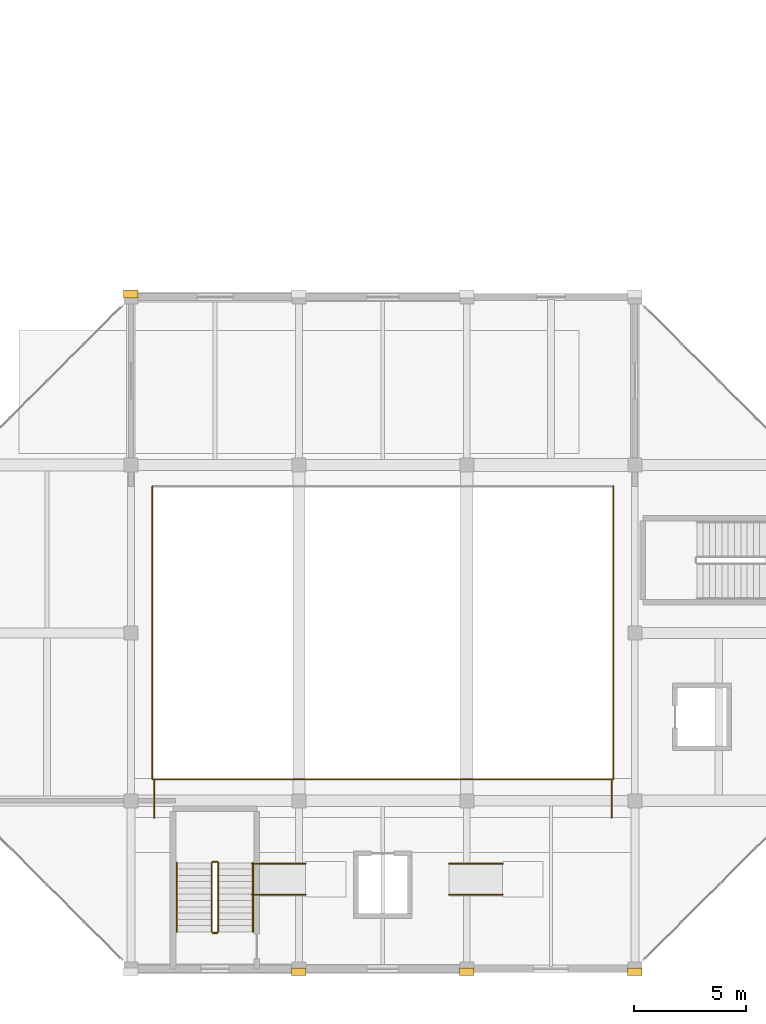
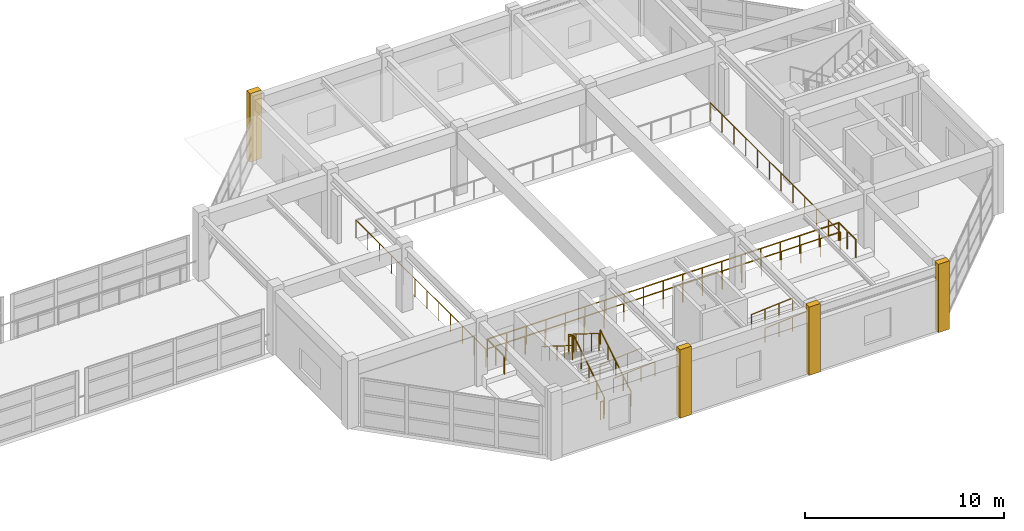
# One storey, part 128 of 132: 16 railings, 4 coverings.
"""IFC4 building model written with IfcOpenShell, lengths in metres."""

from ifc_helpers import new_model, si_unit, direction, frame, origin, origin_2d, place, context, subcontext, project, spatial, rectangle, circle, extrude, material, layer, layer_set, type_object, element, save


model = new_model("IFC4")

# Units and contexts
model_context = context("Model", 3, precision=1e-05, world=origin(), true_north=direction((0.0, 1.0)))
body_context = subcontext(model_context, "Body", "Model", "MODEL_VIEW")
ifc_project = project(units=[si_unit("LENGTHUNIT", "METRE"), si_unit("AREAUNIT", "SQUARE_METRE"), si_unit("VOLUMEUNIT", "CUBIC_METRE"), si_unit("PLANEANGLEUNIT", "RADIAN"), si_unit("MASSUNIT", "GRAM", prefix="KILO")], contexts=[model_context])

# Site, building, storey
site_placement = place(None, origin())
site = spatial("IfcSite", under=ifc_project, at=site_placement, CompositionType="ELEMENT")
building_placement = place(site_placement, origin())
building = spatial("IfcBuilding", under=site, at=building_placement, Name="Qasida Concert Hall", CompositionType="ELEMENT")
storey_placement = place(building_placement, frame((0.0, 0.0, 4.800048828125)))
storey = spatial("IfcBuildingStorey", under=building, at=storey_placement, Name="L01", CompositionType="ELEMENT", Elevation=4.800048828125)

# Coverings
ifc_material_1 = material(Name="Projecting fluted Lebanese limestone Art Deco pilaster", Category="masonry")
ifc_layer_1 = layer(ifc_material_1, 0.35009765625, Name="Projecting fluted Lebanese limestone Art Deco pilaster")
ifc_layer_set_1 = layer_set([ifc_layer_1], Name="Projecting fluted Lebanese limestone Art Deco pilaster")
covering_type = type_object("IfcCoveringType", Name="CV-PIL-650", PredefinedType="CLADDING", material=ifc_layer_set_1)
for number, where, z_axis, x_axis, name in (
    (1, (135.0, 30.135009765625, 0.0), (0.0, 0.0, 1.0), (1.0, 0.0, 0.0), "L01 fluted limestone pilaster 0196"),
    (2, (142.5, -0.135009765625, 0.0), (0.0, 0.0, 1.0), (1.0, 0.0, 0.0), "L01 fluted limestone pilaster 0200"),
    (3, (150.0, -0.135009765625, 0.0), (0.0, 0.0, 1.0), (1.0, 0.0, 0.0), "L01 fluted limestone pilaster 0208"),
    (4, (157.5, -0.135009765625, 0.0), (0.0, 0.0, 1.0), (1.0, 0.0, 0.0), "L01 fluted limestone pilaster 0216"),
):
    element("IfcCovering", number, at=place(storey_placement, frame(where, z_axis=z_axis, x_axis=x_axis)), inside=storey, type_object=covering_type, Name=name, PredefinedType="CLADDING", context=body_context, shape_type="SweptSolid", body=[
        extrude(rectangle(XDim=0.64990234375, YDim=0.35009765625, at=origin_2d()), origin(), (0.0, 0.0, 1.0), 4.199951171875),
    ])

# Railings
ifc_material_2 = material(Name="Carved Lebanese limestone and bronze top rail", Category="masonry")
ifc_layer_2 = layer(ifc_material_2, 0.10009765625, Name="Carved Lebanese limestone and bronze top rail")
ifc_layer_set_2 = layer_set([ifc_layer_2], Name="Carved Lebanese limestone and bronze top rail")
railing_type_1 = type_object("IfcRailingType", Name="RL-BAL-1100", PredefinedType="BALUSTRADE", material=ifc_layer_set_2)
railing_1_placement = place(storey_placement, frame((135.9599609375, 8.4599609375, 0.0)))
element("IfcRailing", 5, at=railing_1_placement, inside=storey, type_object=railing_type_1, Name="L01 Chamber balcony balustrade 0042", PredefinedType="BALUSTRADE", context=body_context, shape_type="SweptSolid", body=[
    extrude(circle(Radius=0.02392578125, at=origin_2d()), frame((0.0, 0.0, 1.09619140625), z_axis=(1.0, 0.0, 0.0), x_axis=(0.0, 1.0, 0.0)), (0.0, 0.0, 1.0), 20.580078125),
    extrude(circle(Radius=0.02099609375, at=origin_2d()), origin(), (0.0, 0.0, 1.0), 1.072021484375),
    extrude(circle(Radius=0.02099609375, at=origin_2d()), frame((1.143310546875, 0.0, 0.0)), (0.0, 0.0, 1.0), 1.072021484375),
    extrude(circle(Radius=0.02099609375, at=origin_2d()), frame((2.28662109375, 0.0, 0.0)), (0.0, 0.0, 1.0), 1.072021484375),
    extrude(circle(Radius=0.02099609375, at=origin_2d()), frame((3.429931640625, 0.0, 0.0)), (0.0, 0.0, 1.0), 1.072021484375),
    extrude(circle(Radius=0.02099609375, at=origin_2d()), frame((4.5732421875, 0.0, 0.0)), (0.0, 0.0, 1.0), 1.072021484375),
    extrude(circle(Radius=0.02099609375, at=origin_2d()), frame((5.716796875, 0.0, 0.0)), (0.0, 0.0, 1.0), 1.072021484375),
    extrude(circle(Radius=0.02099609375, at=origin_2d()), frame((6.860107421875, 0.0, 0.0)), (0.0, 0.0, 1.0), 1.072021484375),
    extrude(circle(Radius=0.02099609375, at=origin_2d()), frame((8.00341796875, 0.0, 0.0)), (0.0, 0.0, 1.0), 1.072021484375),
    extrude(circle(Radius=0.02099609375, at=origin_2d()), frame((9.146728515625, 0.0, 0.0)), (0.0, 0.0, 1.0), 1.072021484375),
    extrude(circle(Radius=0.02099609375, at=origin_2d()), frame((10.2900390625, 0.0, 0.0)), (0.0, 0.0, 1.0), 1.072021484375),
    extrude(circle(Radius=0.02099609375, at=origin_2d()), frame((11.433349609375, 0.0, 0.0)), (0.0, 0.0, 1.0), 1.072021484375),
    extrude(circle(Radius=0.02099609375, at=origin_2d()), frame((12.57666015625, 0.0, 0.0)), (0.0, 0.0, 1.0), 1.072021484375),
    extrude(circle(Radius=0.02099609375, at=origin_2d()), frame((13.719970703125, 0.0, 0.0)), (0.0, 0.0, 1.0), 1.072021484375),
    extrude(circle(Radius=0.02099609375, at=origin_2d()), frame((14.86328125, 0.0, 0.0)), (0.0, 0.0, 1.0), 1.072021484375),
    extrude(circle(Radius=0.02099609375, at=origin_2d()), frame((16.0068359375, 0.0, 0.0)), (0.0, 0.0, 1.0), 1.072021484375),
    extrude(circle(Radius=0.02099609375, at=origin_2d()), frame((17.150146484375, 0.0, 0.0)), (0.0, 0.0, 1.0), 1.072021484375),
    extrude(circle(Radius=0.02099609375, at=origin_2d()), frame((18.29345703125, 0.0, 0.0)), (0.0, 0.0, 1.0), 1.072021484375),
    extrude(circle(Radius=0.02099609375, at=origin_2d()), frame((19.436767578125, 0.0, 0.0)), (0.0, 0.0, 1.0), 1.072021484375),
    extrude(circle(Radius=0.02099609375, at=origin_2d()), frame((20.580078125, 0.0, 0.0)), (0.0, 0.0, 1.0), 1.072021484375),
])
railing_2_placement = place(storey_placement, frame((156.5400390625, 8.4599609375, 0.0)))
element("IfcRailing", 6, at=railing_2_placement, inside=storey, type_object=railing_type_1, Name="L01 Chamber balcony balustrade 0043", PredefinedType="BALUSTRADE", context=body_context, shape_type="SweptSolid", body=[
    extrude(circle(Radius=0.02392578125, at=origin_2d()), frame((0.0, 0.0, 1.09619140625), z_axis=(0.0, 1.0, 0.0), x_axis=(-1.0, 0.0, 0.0)), (0.0, 0.0, 1.0), 13.080078125),
    extrude(circle(Radius=0.02099609375, at=origin_2d()), origin(), (0.0, 0.0, 1.0), 1.072021484375),
    extrude(circle(Radius=0.02099609375, at=origin_2d()), frame((0.0, 1.189208984375, 0.0)), (0.0, 0.0, 1.0), 1.072021484375),
    extrude(circle(Radius=0.02099609375, at=origin_2d()), frame((0.0, 2.378173828125, 0.0)), (0.0, 0.0, 1.0), 1.072021484375),
    extrude(circle(Radius=0.02099609375, at=origin_2d()), frame((0.0, 3.5673828125, 0.0)), (0.0, 0.0, 1.0), 1.072021484375),
    extrude(circle(Radius=0.02099609375, at=origin_2d()), frame((0.0, 4.75634765625, 0.0)), (0.0, 0.0, 1.0), 1.072021484375),
    extrude(circle(Radius=0.02099609375, at=origin_2d()), frame((0.0, 5.945556640625, 0.0)), (0.0, 0.0, 1.0), 1.072021484375),
    extrude(circle(Radius=0.02099609375, at=origin_2d()), frame((0.0, 7.134521484375, 0.0)), (0.0, 0.0, 1.0), 1.072021484375),
    extrude(circle(Radius=0.02099609375, at=origin_2d()), frame((0.0, 8.32373046875, 0.0)), (0.0, 0.0, 1.0), 1.072021484375),
    extrude(circle(Radius=0.02099609375, at=origin_2d()), frame((0.0, 9.5126953125, 0.0)), (0.0, 0.0, 1.0), 1.072021484375),
    extrude(circle(Radius=0.02099609375, at=origin_2d()), frame((0.0, 10.701904296875, 0.0)), (0.0, 0.0, 1.0), 1.072021484375),
    extrude(circle(Radius=0.02099609375, at=origin_2d()), frame((0.0, 11.890869140625, 0.0)), (0.0, 0.0, 1.0), 1.072021484375),
    extrude(circle(Radius=0.02099609375, at=origin_2d()), frame((0.0, 13.080078125, 0.0)), (0.0, 0.0, 1.0), 1.072021484375),
])
railing_3_placement = place(storey_placement, frame((135.9599609375, 21.5400390625, 0.0)))
element("IfcRailing", 7, at=railing_3_placement, inside=storey, type_object=railing_type_1, Name="L01 Chamber balcony balustrade 0045", PredefinedType="BALUSTRADE", context=body_context, shape_type="SweptSolid", body=[
    extrude(circle(Radius=0.02392578125, at=origin_2d()), frame((0.0, 0.0, 1.09619140625), z_axis=(0.0, -1.0, 0.0), x_axis=(1.0, 0.0, 0.0)), (0.0, 0.0, 1.0), 13.080078125),
    extrude(circle(Radius=0.02099609375, at=origin_2d()), origin(), (0.0, 0.0, 1.0), 1.072021484375),
    extrude(circle(Radius=0.02099609375, at=origin_2d()), frame((0.0, -1.189208984375, 0.0)), (0.0, 0.0, 1.0), 1.072021484375),
    extrude(circle(Radius=0.02099609375, at=origin_2d()), frame((0.0, -2.378173828125, 0.0)), (0.0, 0.0, 1.0), 1.072021484375),
    extrude(circle(Radius=0.02099609375, at=origin_2d()), frame((0.0, -3.5673828125, 0.0)), (0.0, 0.0, 1.0), 1.072021484375),
    extrude(circle(Radius=0.02099609375, at=origin_2d()), frame((0.0, -4.75634765625, 0.0)), (0.0, 0.0, 1.0), 1.072021484375),
    extrude(circle(Radius=0.02099609375, at=origin_2d()), frame((0.0, -5.945556640625, 0.0)), (0.0, 0.0, 1.0), 1.072021484375),
    extrude(circle(Radius=0.02099609375, at=origin_2d()), frame((0.0, -7.134521484375, 0.0)), (0.0, 0.0, 1.0), 1.072021484375),
    extrude(circle(Radius=0.02099609375, at=origin_2d()), frame((0.0, -8.32373046875, 0.0)), (0.0, 0.0, 1.0), 1.072021484375),
    extrude(circle(Radius=0.02099609375, at=origin_2d()), frame((0.0, -9.5126953125, 0.0)), (0.0, 0.0, 1.0), 1.072021484375),
    extrude(circle(Radius=0.02099609375, at=origin_2d()), frame((0.0, -10.701904296875, 0.0)), (0.0, 0.0, 1.0), 1.072021484375),
    extrude(circle(Radius=0.02099609375, at=origin_2d()), frame((0.0, -11.890869140625, 0.0)), (0.0, 0.0, 1.0), 1.072021484375),
    extrude(circle(Radius=0.02099609375, at=origin_2d()), frame((0.0, -13.080078125, 0.0)), (0.0, 0.0, 1.0), 1.072021484375),
])
railing_4_placement = place(storey_placement, frame((136.0400390625, 6.75, 0.599853515625)))
element("IfcRailing", 8, at=railing_4_placement, inside=storey, type_object=railing_type_1, Name="L01 Chamber tier 2 front balustrade 0058", PredefinedType="BALUSTRADE", context=body_context, shape_type="SweptSolid", body=[
    extrude(circle(Radius=0.02392578125, at=origin_2d()), frame((0.0, 0.0, 1.09619140625), z_axis=(0.0, 1.0, 0.0), x_axis=(-1.0, 0.0, 0.0)), (0.0, 0.0, 1.0), 1.7099609375),
    extrude(circle(Radius=0.02099609375, at=origin_2d()), origin(), (0.0, 0.0, 1.0), 1.072021484375),
    extrude(circle(Radius=0.02099609375, at=origin_2d()), frame((0.0, 0.85498046875, 0.0)), (0.0, 0.0, 1.0), 1.072021484375),
    extrude(circle(Radius=0.02099609375, at=origin_2d()), frame((0.0, 1.7099609375, 0.0)), (0.0, 0.0, 1.0), 1.072021484375),
])
railing_5_placement = place(storey_placement, frame((136.0400390625, 8.4599609375, 0.599853515625)))
element("IfcRailing", 9, at=railing_5_placement, inside=storey, type_object=railing_type_1, Name="L01 Chamber tier 2 front balustrade 0059", PredefinedType="BALUSTRADE", context=body_context, shape_type="SweptSolid", body=[
    extrude(circle(Radius=0.02392578125, at=origin_2d()), frame((0.0, 0.0, 1.09619140625), z_axis=(1.0, 0.0, 0.0), x_axis=(0.0, 1.0, 0.0)), (0.0, 0.0, 1.0), 20.419921875),
    extrude(circle(Radius=0.02099609375, at=origin_2d()), origin(), (0.0, 0.0, 1.0), 1.072021484375),
    extrude(circle(Radius=0.02099609375, at=origin_2d()), frame((1.134521484375, 0.0, 0.0)), (0.0, 0.0, 1.0), 1.072021484375),
    extrude(circle(Radius=0.02099609375, at=origin_2d()), frame((2.268798828125, 0.0, 0.0)), (0.0, 0.0, 1.0), 1.072021484375),
    extrude(circle(Radius=0.02099609375, at=origin_2d()), frame((3.4033203125, 0.0, 0.0)), (0.0, 0.0, 1.0), 1.072021484375),
    extrude(circle(Radius=0.02099609375, at=origin_2d()), frame((4.537841796875, 0.0, 0.0)), (0.0, 0.0, 1.0), 1.072021484375),
    extrude(circle(Radius=0.02099609375, at=origin_2d()), frame((5.672119140625, 0.0, 0.0)), (0.0, 0.0, 1.0), 1.072021484375),
    extrude(circle(Radius=0.02099609375, at=origin_2d()), frame((6.806640625, 0.0, 0.0)), (0.0, 0.0, 1.0), 1.072021484375),
    extrude(circle(Radius=0.02099609375, at=origin_2d()), frame((7.941162109375, 0.0, 0.0)), (0.0, 0.0, 1.0), 1.072021484375),
    extrude(circle(Radius=0.02099609375, at=origin_2d()), frame((9.075439453125, 0.0, 0.0)), (0.0, 0.0, 1.0), 1.072021484375),
    extrude(circle(Radius=0.02099609375, at=origin_2d()), frame((10.2099609375, 0.0, 0.0)), (0.0, 0.0, 1.0), 1.072021484375),
    extrude(circle(Radius=0.02099609375, at=origin_2d()), frame((11.344482421875, 0.0, 0.0)), (0.0, 0.0, 1.0), 1.072021484375),
    extrude(circle(Radius=0.02099609375, at=origin_2d()), frame((12.478759765625, 0.0, 0.0)), (0.0, 0.0, 1.0), 1.072021484375),
    extrude(circle(Radius=0.02099609375, at=origin_2d()), frame((13.61328125, 0.0, 0.0)), (0.0, 0.0, 1.0), 1.072021484375),
    extrude(circle(Radius=0.02099609375, at=origin_2d()), frame((14.747802734375, 0.0, 0.0)), (0.0, 0.0, 1.0), 1.072021484375),
    extrude(circle(Radius=0.02099609375, at=origin_2d()), frame((15.882080078125, 0.0, 0.0)), (0.0, 0.0, 1.0), 1.072021484375),
    extrude(circle(Radius=0.02099609375, at=origin_2d()), frame((17.0166015625, 0.0, 0.0)), (0.0, 0.0, 1.0), 1.072021484375),
    extrude(circle(Radius=0.02099609375, at=origin_2d()), frame((18.151123046875, 0.0, 0.0)), (0.0, 0.0, 1.0), 1.072021484375),
    extrude(circle(Radius=0.02099609375, at=origin_2d()), frame((19.285400390625, 0.0, 0.0)), (0.0, 0.0, 1.0), 1.072021484375),
    extrude(circle(Radius=0.02099609375, at=origin_2d()), frame((20.419921875, 0.0, 0.0)), (0.0, 0.0, 1.0), 1.072021484375),
])
railing_6_placement = place(storey_placement, frame((156.4599609375, 8.4599609375, 0.599853515625)))
element("IfcRailing", 10, at=railing_6_placement, inside=storey, type_object=railing_type_1, Name="L01 Chamber tier 2 front balustrade 0060", PredefinedType="BALUSTRADE", context=body_context, shape_type="SweptSolid", body=[
    extrude(circle(Radius=0.02392578125, at=origin_2d()), frame((0.0, 0.0, 1.09619140625), z_axis=(0.0, -1.0, 0.0), x_axis=(1.0, 0.0, 0.0)), (0.0, 0.0, 1.0), 1.7099609375),
    extrude(circle(Radius=0.02099609375, at=origin_2d()), origin(), (0.0, 0.0, 1.0), 1.072021484375),
    extrude(circle(Radius=0.02099609375, at=origin_2d()), frame((0.0, -0.85498046875, 0.0)), (0.0, 0.0, 1.0), 1.072021484375),
    extrude(circle(Radius=0.02099609375, at=origin_2d()), frame((0.0, -1.7099609375, 0.0)), (0.0, 0.0, 1.0), 1.072021484375),
])
ifc_material_3 = material(Name="Patinated architectural bronze and laminated glass infill", Category="glass")
ifc_layer_3 = layer(ifc_material_3, 0.080078125, Name="Patinated architectural bronze and laminated glass infill")
ifc_layer_set_3 = layer_set([ifc_layer_3], Name="Patinated architectural bronze and laminated glass infill")
railing_type_2 = type_object("IfcRailingType", Name="RL-GRD-1100", PredefinedType="GUARDRAIL", material=ifc_layer_set_3)
railing_7_placement = place(storey_placement, frame((138.89990234375, 1.64990234375, 0.175048828125)))
element("IfcRailing", 11, at=railing_7_placement, inside=storey, type_object=railing_type_2, Name="L01 ST-09 stair guard 1", PredefinedType="GUARDRAIL", context=body_context, shape_type="SweptSolid", body=[
    extrude(circle(Radius=0.02392578125, at=origin_2d()), frame((0.0, 0.0, 1.076171875), z_axis=(0.0, 0.848028513186, 0.529950602248), x_axis=(-1.0, 0.0, 0.0)), (0.0, 0.0, 1.0), 3.632080078125),
    extrude(circle(Radius=0.02099609375, at=origin_2d()), origin(), (0.0, 0.0, 1.0), 1.052001953125),
    extrude(circle(Radius=0.02099609375, at=origin_2d()), frame((0.0, 0.77001953125, 0.481201171875)), (0.0, 0.0, 1.0), 1.052001953125),
    extrude(circle(Radius=0.02099609375, at=origin_2d()), frame((0.0, 1.5400390625, 0.96240234375)), (0.0, 0.0, 1.0), 1.052001953125),
    extrude(circle(Radius=0.02099609375, at=origin_2d()), frame((0.0, 2.31005859375, 1.443603515625)), (0.0, 0.0, 1.0), 1.052001953125),
    extrude(circle(Radius=0.02099609375, at=origin_2d()), frame((0.0, 3.080078125, 1.9248046875)), (0.0, 0.0, 1.0), 1.052001953125),
])
railing_8_placement = place(storey_placement, frame((138.85009765625, 4.780029296875, 2.099853515625)))
element("IfcRailing", 12, at=railing_8_placement, inside=storey, type_object=railing_type_2, Name="L01 ST-09 stair guard 2", PredefinedType="GUARDRAIL", context=body_context, shape_type="SweptSolid", body=[
    extrude(circle(Radius=0.02392578125, at=origin_2d()), frame((0.0, 0.0, 1.076171875), z_axis=(-1.0, 0.0, 0.0), x_axis=(0.0, -1.0, 0.0)), (0.0, 0.0, 1.0), 0.2001953125),
    extrude(circle(Radius=0.02099609375, at=origin_2d()), origin(), (0.0, 0.0, 1.0), 1.052001953125),
    extrude(circle(Radius=0.02099609375, at=origin_2d()), frame((-0.2001953125, 0.0, 0.0)), (0.0, 0.0, 1.0), 1.052001953125),
])
railing_9_placement = place(storey_placement, frame((138.60009765625, 4.72998046875, 2.27490234375)))
element("IfcRailing", 13, at=railing_9_placement, inside=storey, type_object=railing_type_2, Name="L01 ST-09 stair guard 3", PredefinedType="GUARDRAIL", context=body_context, shape_type="SweptSolid", body=[
    extrude(circle(Radius=0.02392578125, at=origin_2d()), frame((0.0, 0.0, 1.076171875), z_axis=(0.0, -0.847998304005, 0.529998940003), x_axis=(1.0, 0.0, 0.0)), (0.0, 0.0, 1.0), 3.632080078125),
    extrude(circle(Radius=0.02099609375, at=origin_2d()), origin(), (0.0, 0.0, 1.0), 1.052001953125),
    extrude(circle(Radius=0.02099609375, at=origin_2d()), frame((0.0, -0.77001953125, 0.481201171875)), (0.0, 0.0, 1.0), 1.052001953125),
    extrude(circle(Radius=0.02099609375, at=origin_2d()), frame((0.0, -1.5400390625, 0.96240234375)), (0.0, 0.0, 1.0), 1.052001953125),
    extrude(circle(Radius=0.02099609375, at=origin_2d()), frame((0.0, -2.31005859375, 1.44384765625)), (0.0, 0.0, 1.0), 1.052001953125),
    extrude(circle(Radius=0.02099609375, at=origin_2d()), frame((0.0, -3.080078125, 1.925048828125)), (0.0, 0.0, 1.0), 1.052001953125),
])
railing_10_placement = place(storey_placement, frame((138.85009765625, 1.60009765625, 0.0)))
element("IfcRailing", 14, at=railing_10_placement, inside=storey, type_object=railing_type_2, Name="L01 ST-09 stair guard 4", PredefinedType="GUARDRAIL", context=body_context, shape_type="SweptSolid", body=[
    extrude(circle(Radius=0.02392578125, at=origin_2d()), frame((0.0, 0.0, 1.076171875), z_axis=(-1.0, 0.0, 0.0), x_axis=(0.0, -1.0, 0.0)), (0.0, 0.0, 1.0), 0.2001953125),
    extrude(circle(Radius=0.02099609375, at=origin_2d()), origin(), (0.0, 0.0, 1.0), 1.052001953125),
    extrude(circle(Radius=0.02099609375, at=origin_2d()), frame((-0.2001953125, 0.0, 0.0)), (0.0, 0.0, 1.0), 1.052001953125),
])
ifc_material_4 = material(Name="Patinated tubular architectural bronze", Category="steel")
ifc_layer_4 = layer(ifc_material_4, 0.050048828125, Name="Patinated tubular architectural bronze")
ifc_layer_set_4 = layer_set([ifc_layer_4], Name="Patinated tubular architectural bronze")
railing_type_3 = type_object("IfcRailingType", Name="RL-HND-900", PredefinedType="HANDRAIL", material=ifc_layer_set_4)
railing_11_placement = place(storey_placement, frame((140.449951171875, 1.64990234375, 0.175048828125)))
element("IfcRailing", 15, at=railing_11_placement, inside=storey, type_object=railing_type_3, Name="L01 ST-09 stair handrail 1", PredefinedType="HANDRAIL", context=body_context, shape_type="SweptSolid", body=[
    extrude(circle(Radius=0.02392578125, at=origin_2d()), frame((0.0, 0.0, 0.8759765625), z_axis=(0.0, 0.848028513186, 0.529950602248), x_axis=(-1.0, 0.0, 0.0)), (0.0, 0.0, 1.0), 3.632080078125),
    extrude(circle(Radius=0.02099609375, at=origin_2d()), origin(), (0.0, 0.0, 1.0), 0.851806640625),
    extrude(circle(Radius=0.02099609375, at=origin_2d()), frame((0.0, 0.77001953125, 0.481201171875)), (0.0, 0.0, 1.0), 0.851806640625),
    extrude(circle(Radius=0.02099609375, at=origin_2d()), frame((0.0, 1.5400390625, 0.96240234375)), (0.0, 0.0, 1.0), 0.851806640625),
    extrude(circle(Radius=0.02099609375, at=origin_2d()), frame((0.0, 2.31005859375, 1.443603515625)), (0.0, 0.0, 1.0), 0.851806640625),
    extrude(circle(Radius=0.02099609375, at=origin_2d()), frame((0.0, 3.080078125, 1.9248046875)), (0.0, 0.0, 1.0), 0.851806640625),
])
railing_12_placement = place(storey_placement, frame((137.050048828125, 4.72998046875, 2.27490234375)))
element("IfcRailing", 16, at=railing_12_placement, inside=storey, type_object=railing_type_3, Name="L01 ST-09 stair handrail 2", PredefinedType="HANDRAIL", context=body_context, shape_type="SweptSolid", body=[
    extrude(circle(Radius=0.02392578125, at=origin_2d()), frame((0.0, 0.0, 0.8759765625), z_axis=(0.0, -0.847998304005, 0.529998940003), x_axis=(1.0, 0.0, 0.0)), (0.0, 0.0, 1.0), 3.632080078125),
    extrude(circle(Radius=0.02099609375, at=origin_2d()), origin(), (0.0, 0.0, 1.0), 0.851806640625),
    extrude(circle(Radius=0.02099609375, at=origin_2d()), frame((0.0, -0.77001953125, 0.481201171875)), (0.0, 0.0, 1.0), 0.851806640625),
    extrude(circle(Radius=0.02099609375, at=origin_2d()), frame((0.0, -1.5400390625, 0.96240234375)), (0.0, 0.0, 1.0), 0.851806640625),
    extrude(circle(Radius=0.02099609375, at=origin_2d()), frame((0.0, -2.31005859375, 1.44384765625)), (0.0, 0.0, 1.0), 0.851806640625),
    extrude(circle(Radius=0.02099609375, at=origin_2d()), frame((0.0, -3.080078125, 1.925048828125)), (0.0, 0.0, 1.0), 0.851806640625),
])
for number, where, name in (
    (17, (140.39990234375, 3.31005859375, 0.0), "Chamber foyer west threshold ramp handrail L"),
    (18, (140.39990234375, 4.68994140625, 0.0), "Chamber foyer west threshold ramp handrail R"),
    (19, (149.199951171875, 3.31005859375, 0.0), "Chamber foyer east threshold ramp handrail L"),
    (20, (149.199951171875, 4.68994140625, 0.0), "Chamber foyer east threshold ramp handrail R"),
):
    element("IfcRailing", number, at=place(storey_placement, frame(where)), inside=storey, type_object=railing_type_3, Name=name, PredefinedType="HANDRAIL", context=body_context, shape_type="SweptSolid", body=[
        extrude(circle(Radius=0.02392578125, at=origin_2d()), frame((0.0, 0.0, 0.8759765625), z_axis=(0.997201767984, 0.0, 0.074757166413), x_axis=(0.0, 1.0, 0.0)), (0.0, 0.0, 1.0), 2.406982421875),
        extrude(circle(Radius=0.02099609375, at=origin_2d()), origin(), (0.0, 0.0, 1.0), 0.851806640625),
        extrude(circle(Radius=0.02099609375, at=origin_2d()), frame((0.800048828125, 0.0, 0.06005859375)), (0.0, 0.0, 1.0), 0.851806640625),
        extrude(circle(Radius=0.02099609375, at=origin_2d()), frame((1.60009765625, 0.0, 0.119873046875)), (0.0, 0.0, 1.0), 0.851806640625),
        extrude(circle(Radius=0.02099609375, at=origin_2d()), frame((2.400146484375, 0.0, 0.179931640625)), (0.0, 0.0, 1.0), 0.851806640625),
    ])

save(model, "model.ifc")
